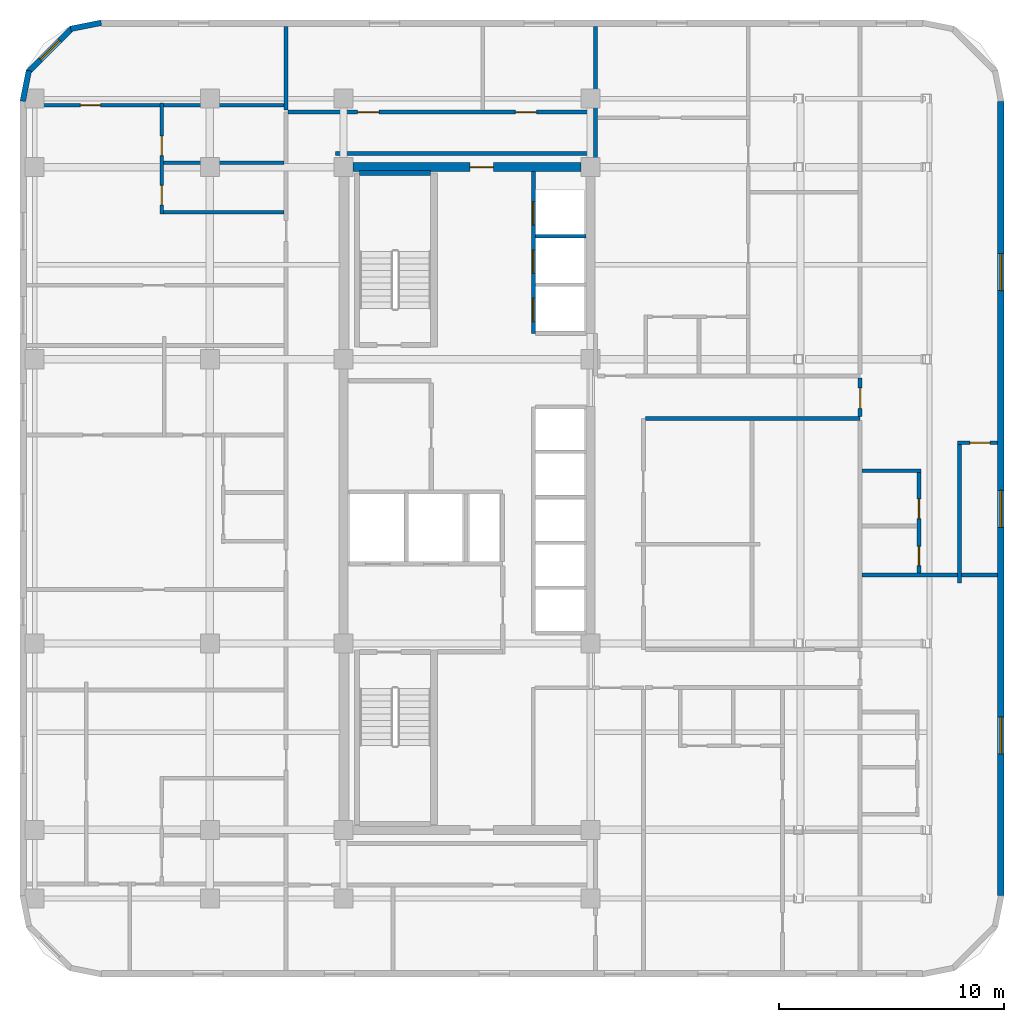
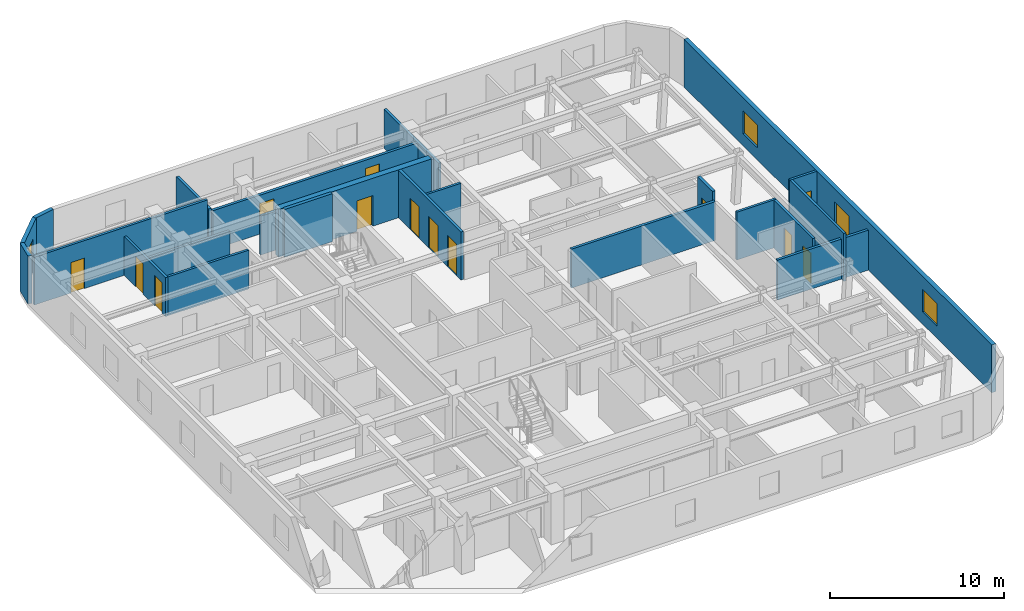
# One storey, part 6 of 8: 23 walls, 13 doors, 4 windows, 17 openings.
"""IFC4 building model written with IfcOpenShell, lengths in metres."""

from ifc_helpers import new_model, si_unit, direction, frame, frame_2d, origin, place, context, subcontext, project, spatial, rectangle, extrude, material, layer, layer_set, type_object, element, fill, save


model = new_model("IFC4")

# Units and contexts
model_context = context("Model", 3, precision=1e-05, world=origin(), true_north=direction((0.0, 1.0)))
body_context = subcontext(model_context, "Body", "Model", "MODEL_VIEW")
ifc_project = project(units=[si_unit("LENGTHUNIT", "METRE"), si_unit("AREAUNIT", "SQUARE_METRE"), si_unit("VOLUMEUNIT", "CUBIC_METRE"), si_unit("PLANEANGLEUNIT", "RADIAN"), si_unit("MASSUNIT", "GRAM", prefix="KILO")], contexts=[model_context])

# Site, building, storey
site_placement = place(None, origin())
site = spatial("IfcSite", under=ifc_project, at=site_placement, CompositionType="ELEMENT")
building_placement = place(site_placement, origin())
building = spatial("IfcBuilding", under=site, at=building_placement, Name="Ochreholt Gables", CompositionType="ELEMENT")
storey_placement = place(building_placement, frame((0.0, 0.0, 128.39990234375)))
storey = spatial("IfcBuildingStorey", under=building, at=storey_placement, Name="L33", CompositionType="ELEMENT", Elevation=128.39990234375)

# Wall, opening, door
ifc_material_1 = material(Name="Concrete 60 MPa", Category="concrete")
ifc_layer_1 = layer(ifc_material_1, 0.39990234375, Name="Concrete 60 MPa")
ifc_layer_set_1 = layer_set([ifc_layer_1], Name="Concrete 60 MPa")
wall_type_1 = type_object("IfcWallType", Name="WALL-CSW-400", PredefinedType="SHEAR", material=ifc_layer_set_1)
wall_1_placement = place(storey_placement, frame((24.625, 38.75, 0.0), z_axis=(0.0, 0.0, 1.0), x_axis=(1.0, 0.0, 0.0)))
wall_1 = element("IfcWall", 1, at=wall_1_placement, inside=storey, type_object=wall_type_1, Name="L33 Core North Shear Wall", PredefinedType="SHEAR", context=body_context, shape_type="SweptSolid", body=[
    extrude(rectangle(XDim=10.14990234375, YDim=0.39990234375, at=frame_2d((5.074951171875, 0.0))), origin(), (0.0, 0.0, 1.0), 3.360107421875),
])
opening_1_placement = place(wall_1_placement, frame((5.199951171875, 0.0, 0.0)))
opening_1 = element("IfcOpeningElement", 2, at=opening_1_placement, cuts=wall_1, Name="Opening D-FLB", PredefinedType="OPENING", context=body_context, shape_type="SweptSolid", body=[
    extrude(rectangle(XDim=1.050048828125, YDim=2.14990234375, at=frame_2d((0.52490234375, 1.074951171875))), frame((0.0, 0.2099609375, 0.0), z_axis=(0.0, -1.0, 0.0), x_axis=(1.0, 0.0, 0.0)), (0.0, 0.0, 1.0), 0.419921875),
])
ifc_material_2 = material(Name="Hollow Metal Steel", Category="steel")
door_type_1 = type_object("IfcDoorType", Name="DR-INT-FLB1050", OperationType="NOTDEFINED", PredefinedType="DOOR", material=ifc_material_2)
door_1_placement = place(opening_1_placement, frame((1.050048828125, 0.0, 0.0), z_axis=(0.0, 0.0, 1.0), x_axis=(-1.0, 0.0, 0.0)))
door_1 = element("IfcDoor", 3, at=door_1_placement, inside=storey, type_object=door_type_1, Name="L33 Door D-C2CRN-L33", OperationType="SINGLE_SWING_RIGHT", OverallHeight=2.14990234375, OverallWidth=1.050048828125, PredefinedType="DOOR", context=body_context, shape_type="SweptSolid", body=[
    extrude(rectangle(XDim=1.050048828125, YDim=2.14990234375, at=frame_2d((0.52490234375, 1.074951171875))), frame((0.0, 0.02490234375, 0.0), z_axis=(0.0, -1.0, 0.0), x_axis=(1.0, 0.0, 0.0)), (0.0, 0.0, 1.0), 0.050048828125),
])
fill(opening_1, door_1)

# Wall, openings, windows
ifc_material_3 = material(Name="Precast concrete 40 MPa", Category="concrete")
ifc_layer_2 = layer(ifc_material_3, 0.280029296875, Name="Precast concrete 40 MPa")
ifc_layer_set_2 = layer_set([ifc_layer_2], Name="Precast concrete 40 MPa")
wall_type_2 = type_object("IfcWallType", Name="WALL-EXT-280", PredefinedType="SOLIDWALL", material=ifc_layer_set_2)
wall_2_placement = place(storey_placement, frame((53.4599609375, 6.320068359375, 0.0), z_axis=(0.0, 0.0, 1.0), x_axis=(0.0, 1.0, 0.0)))
wall_2 = element("IfcWall", 4, at=wall_2_placement, inside=storey, type_object=wall_type_2, Name="L33 East Exterior Wall", PredefinedType="SOLIDWALL", context=body_context, shape_type="SweptSolid", body=[
    extrude(rectangle(XDim=35.35986328125, YDim=0.280029296875, at=frame_2d((17.679931640625, 0.0))), origin(), (0.0, 0.0, 1.0), 3.360107421875),
])
opening_2_placement = place(wall_2_placement, frame((6.31103515625, 0.0, 0.85009765625)))
opening_2 = element("IfcOpeningElement", 5, at=opening_2_placement, cuts=wall_2, Name="Opening WN-7", PredefinedType="OPENING", context=body_context, shape_type="SweptSolid", body=[
    extrude(rectangle(XDim=1.64990234375, YDim=1.60009765625, at=frame_2d((0.824951171875, 0.800048828125))), frame((0.0, 0.14990234375, 0.0), z_axis=(0.0, -1.0, 0.0), x_axis=(1.0, 0.0, 0.0)), (0.0, 0.0, 1.0), 0.300048828125),
])
opening_3_placement = place(wall_2_placement, frame((16.39208984375, 0.0, 0.85009765625)))
opening_3 = element("IfcOpeningElement", 6, at=opening_3_placement, cuts=wall_2, Name="Opening WN-7", PredefinedType="OPENING", context=body_context, shape_type="SweptSolid", body=[
    extrude(rectangle(XDim=1.64990234375, YDim=1.60009765625, at=frame_2d((0.824951171875, 0.800048828125))), frame((0.0, 0.14990234375, 0.0), z_axis=(0.0, -1.0, 0.0), x_axis=(1.0, 0.0, 0.0)), (0.0, 0.0, 1.0), 0.300048828125),
])
opening_4_placement = place(wall_2_placement, frame((26.93603515625, 0.0, 0.85009765625)))
opening_4 = element("IfcOpeningElement", 7, at=opening_4_placement, cuts=wall_2, Name="Opening WN-7", PredefinedType="OPENING", context=body_context, shape_type="SweptSolid", body=[
    extrude(rectangle(XDim=1.64990234375, YDim=1.60009765625, at=frame_2d((0.824951171875, 0.800048828125))), frame((0.0, 0.14990234375, 0.0), z_axis=(0.0, -1.0, 0.0), x_axis=(1.0, 0.0, 0.0)), (0.0, 0.0, 1.0), 0.300048828125),
])
ifc_material_4 = material(Name="Triple-Glazed Thermally Broken Aluminium Window", Category="aluminium")
window_type_1 = type_object("IfcWindowType", Name="WIN-RES-1650", PartitioningType="SINGLE_PANEL", PredefinedType="WINDOW", material=ifc_material_4)
window_1_placement = place(opening_2_placement, origin())
window_1 = element("IfcWindow", 8, at=window_1_placement, inside=storey, type_object=window_type_1, Name="L33 Window W-EXT-E-L33-1", OverallHeight=1.60009765625, OverallWidth=1.64990234375, PartitioningType="SINGLE_PANEL", PredefinedType="WINDOW", context=body_context, shape_type="SweptSolid", body=[
    extrude(rectangle(XDim=1.64990234375, YDim=1.60009765625, at=frame_2d((0.824951171875, 0.800048828125))), frame((0.0, 0.030029296875, 0.0), z_axis=(0.0, -1.0, 0.0), x_axis=(1.0, 0.0, 0.0)), (0.0, 0.0, 1.0), 0.06005859375),
])
fill(opening_2, window_1)
window_2_placement = place(opening_3_placement, origin())
window_2 = element("IfcWindow", 9, at=window_2_placement, inside=storey, type_object=window_type_1, Name="L33 Window W-EXT-E-L33-2", OverallHeight=1.60009765625, OverallWidth=1.64990234375, PartitioningType="SINGLE_PANEL", PredefinedType="WINDOW", context=body_context, shape_type="SweptSolid", body=[
    extrude(rectangle(XDim=1.64990234375, YDim=1.60009765625, at=frame_2d((0.824951171875, 0.800048828125))), frame((0.0, 0.030029296875, 0.0), z_axis=(0.0, -1.0, 0.0), x_axis=(1.0, 0.0, 0.0)), (0.0, 0.0, 1.0), 0.06005859375),
])
fill(opening_3, window_2)
window_3_placement = place(opening_4_placement, origin())
window_3 = element("IfcWindow", 10, at=window_3_placement, inside=storey, type_object=window_type_1, Name="L33 Window W-EXT-E-L33-3", OverallHeight=1.60009765625, OverallWidth=1.64990234375, PartitioningType="SINGLE_PANEL", PredefinedType="WINDOW", context=body_context, shape_type="SweptSolid", body=[
    extrude(rectangle(XDim=1.64990234375, YDim=1.60009765625, at=frame_2d((0.824951171875, 0.800048828125))), frame((0.0, 0.030029296875, 0.0), z_axis=(0.0, -1.0, 0.0), x_axis=(1.0, 0.0, 0.0)), (0.0, 0.0, 1.0), 0.06005859375),
])
fill(opening_4, window_3)

# Wall
ifc_layer_3 = layer(ifc_material_3, 0.25, Name="Precast concrete 40 MPa")
ifc_layer_set_3 = layer_set([ifc_layer_3], Name="Precast concrete 40 MPa")
wall_type_3 = type_object("IfcWallType", Name="WALL-EXT-CNR", PredefinedType="SOLIDWALL", material=ifc_layer_set_3)
wall_3_placement = place(storey_placement, frame((13.41650390625, 45.17578125, 0.0), z_axis=(0.0, 0.0, 1.0), x_axis=(-0.980809899341, -0.19496651342, 0.0)))
element("IfcWall", 11, at=wall_3_placement, inside=storey, type_object=wall_type_3, Name="L33 Rounded Corner Wall NW-1", PredefinedType="SOLIDWALL", context=body_context, shape_type="SweptSolid", body=[
    extrude(rectangle(XDim=1.388671875, YDim=0.25, at=frame_2d((0.6943359375, 0.0))), origin(), (0.0, 0.0, 1.0), 3.360107421875),
])

# Wall, opening, window
wall_4_placement = place(storey_placement, frame((12.10498046875, 44.931884765625, 0.0), z_axis=(0.0, 0.0, 1.0), x_axis=(-0.707151344399, -0.707062215165, 0.0)))
wall_4 = element("IfcWall", 12, at=wall_4_placement, inside=storey, type_object=wall_type_3, Name="L33 Rounded Corner Wall NW-2", PredefinedType="SOLIDWALL", context=body_context, shape_type="SweptSolid", body=[
    extrude(rectangle(XDim=2.7392578125, YDim=0.25, at=frame_2d((1.36962890625, 0.0))), origin(), (0.0, 0.0, 1.0), 3.360107421875),
])
opening_5_placement = place(wall_4_placement, frame((0.769775390625, 0.0, 0.85009765625)))
opening_5 = element("IfcOpeningElement", 13, at=opening_5_placement, cuts=wall_4, Name="Opening WN-3", PredefinedType="OPENING", context=body_context, shape_type="SweptSolid", body=[
    extrude(rectangle(XDim=1.199951171875, YDim=1.5, at=frame_2d((0.60009765625, 0.75))), frame((0.0, 0.135009765625, 0.0), z_axis=(0.0, -1.0, 0.0), x_axis=(1.0, 0.0, 0.0)), (0.0, 0.0, 1.0), 0.27001953125),
])
window_type_2 = type_object("IfcWindowType", Name="WIN-RES-1200", PartitioningType="SINGLE_PANEL", PredefinedType="WINDOW", material=ifc_material_4)
window_4_placement = place(opening_5_placement, origin())
window_4 = element("IfcWindow", 14, at=window_4_placement, inside=storey, type_object=window_type_2, Name="L33 Corner Bedroom Window NW", OverallHeight=1.5, OverallWidth=1.199951171875, PartitioningType="SINGLE_PANEL", PredefinedType="WINDOW", context=body_context, shape_type="SweptSolid", body=[
    extrude(rectangle(XDim=1.199951171875, YDim=1.5, at=frame_2d((0.60009765625, 0.75))), frame((0.0, 0.030029296875, 0.0), z_axis=(0.0, -1.0, 0.0), x_axis=(1.0, 0.0, 0.0)), (0.0, 0.0, 1.0), 0.06005859375),
])
fill(opening_5, window_4)

# Walls
wall_5_placement = place(storey_placement, frame((10.195068359375, 43.04541015625, 0.0), z_axis=(0.0, 0.0, 1.0), x_axis=(-0.195000137217, -0.980803214965, 0.0)))
element("IfcWall", 15, at=wall_5_placement, inside=storey, type_object=wall_type_3, Name="L33 Rounded Corner Wall NW-3", PredefinedType="SOLIDWALL", context=body_context, shape_type="SweptSolid", body=[
    extrude(rectangle(XDim=1.388427734375, YDim=0.25, at=frame_2d((0.6943359375, 0.0))), origin(), (0.0, 0.0, 1.0), 3.360107421875),
])
ifc_material_5 = material(Name="Fire-Rated Gypsum Acoustic Partition", Category="gypsum")
ifc_layer_4 = layer(ifc_material_5, 0.179931640625, Name="Fire-Rated Gypsum Acoustic Partition")
ifc_layer_set_4 = layer_set([ifc_layer_4], Name="Fire-Rated Gypsum Acoustic Partition")
wall_type_4 = type_object("IfcWallType", Name="WALL-INT-CR180", PredefinedType="STANDARD", material=ifc_layer_set_4)
wall_6_placement = place(storey_placement, frame((37.639892578125, 27.56005859375, 0.0), z_axis=(0.0, 0.0, 1.0), x_axis=(1.0, 0.0, 0.0)))
element("IfcWall", 16, at=wall_6_placement, inside=storey, type_object=wall_type_4, Name="L33 Interior Wall WI-C2SN1-L33", PredefinedType="STANDARD", context=body_context, shape_type="SweptSolid", body=[
    extrude(rectangle(XDim=9.56005859375, YDim=0.179931640625, at=frame_2d((4.780029296875, 0.0))), origin(), (0.0, 0.0, 1.0), 2.731201171875),
])

# Wall, openings, doors
wall_7_placement = place(storey_placement, frame((21.739990234375, 41.199951171875, 0.0), z_axis=(0.0, 0.0, 1.0), x_axis=(1.0, 0.0, 0.0)))
wall_7 = element("IfcWall", 17, at=wall_7_placement, inside=storey, type_object=wall_type_4, Name="L33 Interior Wall WI-C2WCN-L33", PredefinedType="STANDARD", context=body_context, shape_type="SweptSolid", body=[
    extrude(rectangle(XDim=13.679931640625, YDim=0.179931640625, at=frame_2d((6.83984375, 0.0))), origin(), (0.0, 0.0, 1.0), 2.731201171875),
])
opening_6_placement = place(wall_7_placement, frame((3.090087890625, 0.0, 0.0)))
opening_6 = element("IfcOpeningElement", 18, at=opening_6_placement, cuts=wall_7, Name="Opening D-GN1", PredefinedType="OPENING", context=body_context, shape_type="SweptSolid", body=[
    extrude(rectangle(XDim=0.949951171875, YDim=2.14990234375, at=frame_2d((0.47509765625, 1.074951171875))), frame((0.0, 0.099853515625, 0.0), z_axis=(0.0, -1.0, 0.0), x_axis=(1.0, 0.0, 0.0)), (0.0, 0.0, 1.0), 0.199951171875),
])
opening_7_placement = place(wall_7_placement, frame((10.110107421875, 0.0, 0.0)))
opening_7 = element("IfcOpeningElement", 19, at=opening_7_placement, cuts=wall_7, Name="Opening D-GN1", PredefinedType="OPENING", context=body_context, shape_type="SweptSolid", body=[
    extrude(rectangle(XDim=0.949951171875, YDim=2.14990234375, at=frame_2d((0.47509765625, 1.074951171875))), frame((0.0, 0.099853515625, 0.0), z_axis=(0.0, -1.0, 0.0), x_axis=(1.0, 0.0, 0.0)), (0.0, 0.0, 1.0), 0.199951171875),
])
ifc_material_6 = material(Name="Engineered Oak Timber", Category="wood")
door_type_2 = type_object("IfcDoorType", Name="DR-INT-GEN950", OperationType="NOTDEFINED", PredefinedType="DOOR", material=ifc_material_6)
door_2_placement = place(opening_6_placement, origin())
door_2 = element("IfcDoor", 20, at=door_2_placement, inside=storey, type_object=door_type_2, Name="L33 Door D-C2NRS1-L33", OperationType="SINGLE_SWING_RIGHT", OverallHeight=2.14990234375, OverallWidth=0.949951171875, PredefinedType="DOOR", context=body_context, shape_type="SweptSolid", body=[
    extrude(rectangle(XDim=0.949951171875, YDim=2.14990234375, at=frame_2d((0.47509765625, 1.074951171875))), frame((0.0, 0.02490234375, 0.0), z_axis=(0.0, -1.0, 0.0), x_axis=(1.0, 0.0, 0.0)), (0.0, 0.0, 1.0), 0.050048828125),
])
fill(opening_6, door_2)
door_3_placement = place(opening_7_placement, origin())
door_3 = element("IfcDoor", 21, at=door_3_placement, inside=storey, type_object=door_type_2, Name="L33 Door D-C2NRS2-L33", OperationType="SINGLE_SWING_LEFT", OverallHeight=2.14990234375, OverallWidth=0.949951171875, PredefinedType="DOOR", context=body_context, shape_type="SweptSolid", body=[
    extrude(rectangle(XDim=0.949951171875, YDim=2.14990234375, at=frame_2d((0.47509765625, 1.074951171875))), frame((0.0, 0.02490234375, 0.0), z_axis=(0.0, -1.0, 0.0), x_axis=(1.0, 0.0, 0.0)), (0.0, 0.0, 1.0), 0.050048828125),
])
fill(opening_7, door_3)

# Wall
wall_8_placement = place(storey_placement, frame((23.85009765625, 39.35009765625, 0.0), z_axis=(0.0, 0.0, 1.0), x_axis=(1.0, 0.0, 0.0)))
element("IfcWall", 22, at=wall_8_placement, inside=storey, type_object=wall_type_4, Name="L33 Interior Wall WI-C2WCN2-L33", PredefinedType="STANDARD", context=body_context, shape_type="SweptSolid", body=[
    extrude(rectangle(XDim=11.56982421875, YDim=0.179931640625, at=frame_2d((5.784912109375, 0.0))), origin(), (0.0, 0.0, 1.0), 2.731201171875),
])

# Wall, opening, door
wall_9_placement = place(storey_placement, frame((47.199951171875, 27.64990234375, 0.0), z_axis=(0.0, 0.0, 1.0), x_axis=(0.0, 1.0, 0.0)))
wall_9 = element("IfcWall", 23, at=wall_9_placement, inside=storey, type_object=wall_type_4, Name="L33 Interior Wall WI-C2SNE-L33", PredefinedType="STANDARD", context=body_context, shape_type="SweptSolid", body=[
    extrude(rectangle(XDim=1.72021484375, YDim=0.179931640625, at=frame_2d((0.860107421875, 0.0))), origin(), (0.0, 0.0, 1.0), 3.360107421875),
])
opening_8_placement = place(wall_9_placement, frame((0.360107421875, 0.0, 0.0)))
opening_8 = element("IfcOpeningElement", 24, at=opening_8_placement, cuts=wall_9, Name="Opening D-UN1", PredefinedType="OPENING", context=body_context, shape_type="SweptSolid", body=[
    extrude(rectangle(XDim=0.919921875, YDim=2.14990234375, at=frame_2d((0.4599609375, 1.074951171875))), frame((0.0, 0.099853515625, 0.0), z_axis=(0.0, -1.0, 0.0), x_axis=(1.0, 0.0, 0.0)), (0.0, 0.0, 1.0), 0.199951171875),
])
door_type_3 = type_object("IfcDoorType", Name="DR-INT-UNT920", OperationType="NOTDEFINED", PredefinedType="DOOR", material=ifc_material_6)
door_4_placement = place(opening_8_placement, origin())
door_4 = element("IfcDoor", 25, at=door_4_placement, inside=storey, type_object=door_type_3, Name="L33 Door D-U-L33FEN-ENT", OperationType="SINGLE_SWING_LEFT", OverallHeight=2.14990234375, OverallWidth=0.919921875, PredefinedType="DOOR", context=body_context, shape_type="SweptSolid", body=[
    extrude(rectangle(XDim=0.919921875, YDim=2.14990234375, at=frame_2d((0.4599609375, 1.074951171875))), frame((0.0, 0.02490234375, 0.0), z_axis=(0.0, -1.0, 0.0), x_axis=(1.0, 0.0, 0.0)), (0.0, 0.0, 1.0), 0.050048828125),
])
fill(opening_8, door_4)

# Walls
ifc_material_7 = material(Name="Double-Stud Acoustic Demising Wall", Category="gypsum")
ifc_layer_5 = layer(ifc_material_7, 0.179931640625, Name="Double-Stud Acoustic Demising Wall")
ifc_layer_set_5 = layer_set([ifc_layer_5], Name="Double-Stud Acoustic Demising Wall")
wall_type_5 = type_object("IfcWallType", Name="WALL-INT-DM180", PredefinedType="PARTITIONING", material=ifc_layer_set_5)
wall_10_placement = place(storey_placement, frame((21.64990234375, 41.2900390625, 0.0), z_axis=(0.0, 0.0, 1.0), x_axis=(0.0, 1.0, 0.0)))
element("IfcWall", 26, at=wall_10_placement, inside=storey, type_object=wall_type_5, Name="L33 Interior Wall WI-C2WWN-L33", PredefinedType="PARTITIONING", context=body_context, shape_type="SweptSolid", body=[
    extrude(rectangle(XDim=3.72998046875, YDim=0.179931640625, at=frame_2d((1.864990234375, 0.0))), origin(), (0.0, 0.0, 1.0), 2.80908203125),
])
wall_11_placement = place(storey_placement, frame((35.419921875, 38.75, 0.0), z_axis=(0.0, 0.0, 1.0), x_axis=(0.0, 1.0, 0.0)))
element("IfcWall", 27, at=wall_11_placement, inside=storey, type_object=wall_type_5, Name="L33 Interior Wall WI-C2NEN-L33", PredefinedType="PARTITIONING", context=body_context, shape_type="SweptSolid", body=[
    extrude(rectangle(XDim=6.27001953125, YDim=0.179931640625, at=frame_2d((3.135009765625, 0.0))), origin(), (0.0, 0.0, 1.0), 2.731201171875),
])
wall_12_placement = place(storey_placement, frame((47.2900390625, 20.592041015625, 0.0), z_axis=(0.0, 0.0, 1.0), x_axis=(1.0, 0.0, 0.0)))
element("IfcWall", 28, at=wall_12_placement, inside=storey, type_object=wall_type_5, Name="L33 Interior Wall WI-C2FED-L33", PredefinedType="PARTITIONING", context=body_context, shape_type="SweptSolid", body=[
    extrude(rectangle(XDim=6.030029296875, YDim=0.179931640625, at=frame_2d((3.01513671875, 0.0))), origin(), (0.0, 0.0, 1.0), 2.80908203125),
])
ifc_material_8 = material(Name="Moisture-Resistant Plumbing Chase Wall", Category="gypsum")
ifc_layer_6 = layer(ifc_material_8, 0.159912109375, Name="Moisture-Resistant Plumbing Chase Wall")
ifc_layer_set_6 = layer_set([ifc_layer_6], Name="Moisture-Resistant Plumbing Chase Wall")
wall_type_6 = type_object("IfcWallType", Name="WALL-INT-PL160", PredefinedType="PLUMBINGWALL", material=ifc_layer_set_6)
wall_13_placement = place(storey_placement, frame((47.2900390625, 25.23193359375, 0.0), z_axis=(0.0, 0.0, 1.0), x_axis=(1.0, 0.0, 0.0)))
element("IfcWall", 29, at=wall_13_placement, inside=storey, type_object=wall_type_6, Name="L33 Interior Wall WU-L33FEN-WYN", PredefinedType="PLUMBINGWALL", context=body_context, shape_type="SweptSolid", body=[
    extrude(rectangle(XDim=2.60595703125, YDim=0.159912109375, at=frame_2d((1.302978515625, 0.0))), origin(), (0.0, 0.0, 1.0), 3.360107421875),
])

# Wall, openings, doors
wall_14_placement = place(storey_placement, frame((49.81591796875, 20.681884765625, 0.0), z_axis=(0.0, 0.0, 1.0), x_axis=(0.0, 1.0, 0.0)))
wall_14 = element("IfcWall", 30, at=wall_14_placement, inside=storey, type_object=wall_type_6, Name="L33 Interior Wall WU-L33FEN-WX", PredefinedType="PLUMBINGWALL", context=body_context, shape_type="SweptSolid", body=[
    extrude(rectangle(XDim=4.64013671875, YDim=0.159912109375, at=frame_2d((2.320068359375, 0.0))), origin(), (0.0, 0.0, 1.0), 3.360107421875),
])
opening_9_placement = place(wall_14_placement, frame((0.330078125, 0.0, 0.0)))
opening_9 = element("IfcOpeningElement", 31, at=opening_9_placement, cuts=wall_14, Name="Opening D-BT1", PredefinedType="OPENING", context=body_context, shape_type="SweptSolid", body=[
    extrude(rectangle(XDim=0.860107421875, YDim=2.1201171875, at=frame_2d((0.43017578125, 1.06005859375))), frame((0.0, 0.08984375, 0.0), z_axis=(0.0, -1.0, 0.0), x_axis=(1.0, 0.0, 0.0)), (0.0, 0.0, 1.0), 0.179931640625),
])
opening_10_placement = place(wall_14_placement, frame((2.423095703125, 0.0, 0.0)))
opening_10 = element("IfcOpeningElement", 32, at=opening_10_placement, cuts=wall_14, Name="Opening D-GN2", PredefinedType="OPENING", context=body_context, shape_type="SweptSolid", body=[
    extrude(rectangle(XDim=0.8798828125, YDim=2.1201171875, at=frame_2d((0.43994140625, 1.06005859375))), frame((0.0, 0.08984375, 0.0), z_axis=(0.0, -1.0, 0.0), x_axis=(1.0, 0.0, 0.0)), (0.0, 0.0, 1.0), 0.179931640625),
])
door_type_4 = type_object("IfcDoorType", Name="DR-INT-BTH860", OperationType="NOTDEFINED", PredefinedType="DOOR", material=ifc_material_6)
door_5_placement = place(opening_9_placement, origin())
door_5 = element("IfcDoor", 33, at=door_5_placement, inside=storey, type_object=door_type_4, Name="L33 Door D-U-L33FEN-BTH", OperationType="SINGLE_SWING_RIGHT", OverallHeight=2.1201171875, OverallWidth=0.860107421875, PredefinedType="DOOR", context=body_context, shape_type="SweptSolid", body=[
    extrude(rectangle(XDim=0.860107421875, YDim=2.1201171875, at=frame_2d((0.43017578125, 1.06005859375))), frame((0.0, 0.02490234375, 0.0), z_axis=(0.0, -1.0, 0.0), x_axis=(1.0, 0.0, 0.0)), (0.0, 0.0, 1.0), 0.050048828125),
])
fill(opening_9, door_5)
door_type_5 = type_object("IfcDoorType", Name="DR-INT-GEN880", OperationType="NOTDEFINED", PredefinedType="DOOR", material=ifc_material_6)
door_6_placement = place(opening_10_placement, origin())
door_6 = element("IfcDoor", 34, at=door_6_placement, inside=storey, type_object=door_type_5, Name="L33 Door D-U-L33FEN-KIT", OperationType="SINGLE_SWING_LEFT", OverallHeight=2.1201171875, OverallWidth=0.8798828125, PredefinedType="DOOR", context=body_context, shape_type="SweptSolid", body=[
    extrude(rectangle(XDim=0.8798828125, YDim=2.1201171875, at=frame_2d((0.43994140625, 1.06005859375))), frame((0.0, 0.02490234375, 0.0), z_axis=(0.0, -1.0, 0.0), x_axis=(1.0, 0.0, 0.0)), (0.0, 0.0, 1.0), 0.050048828125),
])
fill(opening_10, door_6)

# Wall
wall_15_placement = place(storey_placement, frame((16.030029296875, 36.74609375, 0.0), z_axis=(0.0, 0.0, 1.0), x_axis=(1.0, 0.0, 0.0)))
element("IfcWall", 35, at=wall_15_placement, inside=storey, type_object=wall_type_6, Name="L33 Interior Wall WU-L33W3-FYS", PredefinedType="PLUMBINGWALL", context=body_context, shape_type="SweptSolid", body=[
    extrude(rectangle(XDim=5.530029296875, YDim=0.159912109375, at=frame_2d((2.76513671875, 0.0))), origin(), (0.0, 0.0, 1.0), 2.731201171875),
])

# Wall, openings, doors
wall_16_placement = place(storey_placement, frame((16.110107421875, 36.656005859375, 0.0), z_axis=(0.0, 0.0, 1.0), x_axis=(0.0, 1.0, 0.0)))
wall_16 = element("IfcWall", 36, at=wall_16_placement, inside=storey, type_object=wall_type_6, Name="L33 Interior Wall WU-L33W3-WX", PredefinedType="PLUMBINGWALL", context=body_context, shape_type="SweptSolid", body=[
    extrude(rectangle(XDim=4.944091796875, YDim=0.159912109375, at=frame_2d((2.47216796875, 0.0))), origin(), (0.0, 0.0, 1.0), 2.731201171875),
])
opening_11_placement = place(wall_16_placement, frame((0.419921875, 0.0, 0.0)))
opening_11 = element("IfcOpeningElement", 37, at=opening_11_placement, cuts=wall_16, Name="Opening D-BT1", PredefinedType="OPENING", context=body_context, shape_type="SweptSolid", body=[
    extrude(rectangle(XDim=0.860107421875, YDim=2.1201171875, at=frame_2d((0.43017578125, 1.06005859375))), frame((0.0, 0.08984375, 0.0), z_axis=(0.0, -1.0, 0.0), x_axis=(1.0, 0.0, 0.0)), (0.0, 0.0, 1.0), 0.179931640625),
])
opening_12_placement = place(wall_16_placement, frame((2.611328125, 0.0, 0.0)))
opening_12 = element("IfcOpeningElement", 38, at=opening_12_placement, cuts=wall_16, Name="Opening D-GN2", PredefinedType="OPENING", context=body_context, shape_type="SweptSolid", body=[
    extrude(rectangle(XDim=0.8798828125, YDim=2.1201171875, at=frame_2d((0.43994140625, 1.06005859375))), frame((0.0, 0.08984375, 0.0), z_axis=(0.0, -1.0, 0.0), x_axis=(1.0, 0.0, 0.0)), (0.0, 0.0, 1.0), 0.179931640625),
])
door_7_placement = place(opening_11_placement, origin())
door_7 = element("IfcDoor", 39, at=door_7_placement, inside=storey, type_object=door_type_4, Name="L33 Door D-U-L33W3-BTH", OperationType="SINGLE_SWING_LEFT", OverallHeight=2.1201171875, OverallWidth=0.860107421875, PredefinedType="DOOR", context=body_context, shape_type="SweptSolid", body=[
    extrude(rectangle(XDim=0.860107421875, YDim=2.1201171875, at=frame_2d((0.43017578125, 1.06005859375))), frame((0.0, 0.02490234375, 0.0), z_axis=(0.0, -1.0, 0.0), x_axis=(1.0, 0.0, 0.0)), (0.0, 0.0, 1.0), 0.050048828125),
])
fill(opening_11, door_7)
door_8_placement = place(opening_12_placement, origin())
door_8 = element("IfcDoor", 40, at=door_8_placement, inside=storey, type_object=door_type_5, Name="L33 Door D-U-L33W3-KIT", OperationType="SINGLE_SWING_RIGHT", OverallHeight=2.1201171875, OverallWidth=0.8798828125, PredefinedType="DOOR", context=body_context, shape_type="SweptSolid", body=[
    extrude(rectangle(XDim=0.8798828125, YDim=2.1201171875, at=frame_2d((0.43994140625, 1.06005859375))), frame((0.0, 0.02490234375, 0.0), z_axis=(0.0, -1.0, 0.0), x_axis=(1.0, 0.0, 0.0)), (0.0, 0.0, 1.0), 0.050048828125),
])
fill(opening_12, door_8)

# Walls
wall_17_placement = place(storey_placement, frame((16.18994140625, 38.9375, 0.0), z_axis=(0.0, 0.0, 1.0), x_axis=(1.0, 0.0, 0.0)))
element("IfcWall", 41, at=wall_17_placement, inside=storey, type_object=wall_type_6, Name="L33 Interior Wall WU-L33W3-WK", PredefinedType="PLUMBINGWALL", context=body_context, shape_type="SweptSolid", body=[
    extrude(rectangle(XDim=5.3701171875, YDim=0.159912109375, at=frame_2d((2.68505859375, 0.0))), origin(), (0.0, 0.0, 1.0), 2.731201171875),
])
ifc_material_9 = material(Name="Gypsum Acoustic Stud Partition", Category="gypsum")
ifc_layer_7 = layer(ifc_material_9, 0.1650390625, Name="Gypsum Acoustic Stud Partition")
ifc_layer_set_7 = layer_set([ifc_layer_7], Name="Gypsum Acoustic Stud Partition")
wall_type_7 = type_object("IfcWallType", Name="WALL-INT-PT165", PredefinedType="PARTITIONING", material=ifc_layer_set_7)
wall_18_placement = place(storey_placement, frame((51.615966796875, 20.23193359375, 0.0), z_axis=(0.0, 0.0, 1.0), x_axis=(0.0, 1.0, 0.0)))
element("IfcWall", 42, at=wall_18_placement, inside=storey, type_object=wall_type_7, Name="L33 Interior Wall WU-L33FEN-STW", PredefinedType="PARTITIONING", context=body_context, shape_type="SweptSolid", body=[
    extrude(rectangle(XDim=6.25, YDim=0.1650390625, at=frame_2d((3.125, 0.0))), origin(), (0.0, 0.0, 1.0), 3.360107421875),
])

# Wall, opening, door
wall_19_placement = place(storey_placement, frame((51.535888671875, 26.48193359375, 0.0), z_axis=(0.0, 0.0, 1.0), x_axis=(1.0, 0.0, 0.0)))
wall_19 = element("IfcWall", 43, at=wall_19_placement, inside=storey, type_object=wall_type_7, Name="L33 Interior Wall WU-L33FEN-STN", PredefinedType="PARTITIONING", context=body_context, shape_type="SweptSolid", body=[
    extrude(rectangle(XDim=1.7841796875, YDim=0.1650390625, at=frame_2d((0.89208984375, 0.0))), origin(), (0.0, 0.0, 1.0), 3.360107421875),
])
opening_13_placement = place(wall_19_placement, frame((0.550048828125, 0.0, 0.0)))
opening_13 = element("IfcOpeningElement", 44, at=opening_13_placement, cuts=wall_19, Name="Opening D-GN2", PredefinedType="OPENING", context=body_context, shape_type="SweptSolid", body=[
    extrude(rectangle(XDim=0.8798828125, YDim=2.1201171875, at=frame_2d((0.43994140625, 1.06005859375))), frame((0.0, 0.092529296875, 0.0), z_axis=(0.0, -1.0, 0.0), x_axis=(1.0, 0.0, 0.0)), (0.0, 0.0, 1.0), 0.18505859375),
])
door_9_placement = place(opening_13_placement, origin())
door_9 = element("IfcDoor", 45, at=door_9_placement, inside=storey, type_object=door_type_5, Name="L33 Door D-U-L33FEN-STD", OperationType="SINGLE_SWING_RIGHT", OverallHeight=2.1201171875, OverallWidth=0.8798828125, PredefinedType="DOOR", context=body_context, shape_type="SweptSolid", body=[
    extrude(rectangle(XDim=0.8798828125, YDim=2.1201171875, at=frame_2d((0.43994140625, 1.06005859375))), frame((0.0, 0.02490234375, 0.0), z_axis=(0.0, -1.0, 0.0), x_axis=(1.0, 0.0, 0.0)), (0.0, 0.0, 1.0), 0.050048828125),
])
fill(opening_13, door_9)

wall_20_placement = place(storey_placement, frame((10.080078125, 41.510009765625, 0.0), z_axis=(0.0, 0.0, 1.0), x_axis=(1.0, 0.0, 0.0)))
wall_20 = element("IfcWall", 46, at=wall_20_placement, inside=storey, type_object=wall_type_7, Name="L33 Interior Wall WU-L33W3-MN", PredefinedType="PARTITIONING", context=body_context, shape_type="SweptSolid", body=[
    extrude(rectangle(XDim=11.47998046875, YDim=0.1650390625, at=frame_2d((5.739990234375, 0.0))), origin(), (0.0, 0.0, 1.0), 3.360107421875),
])
opening_14_placement = place(wall_20_placement, frame((2.409912109375, 0.0, 0.0)))
opening_14 = element("IfcOpeningElement", 47, at=opening_14_placement, cuts=wall_20, Name="Opening D-BD1", PredefinedType="OPENING", context=body_context, shape_type="SweptSolid", body=[
    extrude(rectangle(XDim=0.89990234375, YDim=2.139892578125, at=frame_2d((0.449951171875, 1.06982421875))), frame((0.0, 0.092529296875, 0.0), z_axis=(0.0, -1.0, 0.0), x_axis=(1.0, 0.0, 0.0)), (0.0, 0.0, 1.0), 0.18505859375),
])
door_type_6 = type_object("IfcDoorType", Name="DR-INT-BED900", OperationType="NOTDEFINED", PredefinedType="DOOR", material=ifc_material_6)
door_10_placement = place(opening_14_placement, origin())
door_10 = element("IfcDoor", 48, at=door_10_placement, inside=storey, type_object=door_type_6, Name="L33 Door D-U-L33W3-BD1", OperationType="SINGLE_SWING_LEFT", OverallHeight=2.139892578125, OverallWidth=0.89990234375, PredefinedType="DOOR", context=body_context, shape_type="SweptSolid", body=[
    extrude(rectangle(XDim=0.89990234375, YDim=2.139892578125, at=frame_2d((0.449951171875, 1.06982421875))), frame((0.0, 0.02490234375, 0.0), z_axis=(0.0, -1.0, 0.0), x_axis=(1.0, 0.0, 0.0)), (0.0, 0.0, 1.0), 0.050048828125),
])
fill(opening_14, door_10)

# Wall
ifc_material_10 = material(Name="Gypsum Shaftliner and Steel Stud", Category="steel")
ifc_layer_8 = layer(ifc_material_10, 0.14990234375, Name="Gypsum Shaftliner and Steel Stud")
ifc_layer_set_8 = layer_set([ifc_layer_8], Name="Gypsum Shaftliner and Steel Stud")
wall_type_8 = type_object("IfcWallType", Name="WALL-INT-SH150", PredefinedType="STANDARD", material=ifc_layer_set_8)
wall_21_placement = place(storey_placement, frame((32.739990234375, 35.669921875, 0.0), z_axis=(0.0, 0.0, 1.0), x_axis=(1.0, 0.0, 0.0)))
element("IfcWall", 49, at=wall_21_placement, inside=storey, type_object=wall_type_8, Name="L33 Interior Wall WI-LFM-D2-L33", PredefinedType="STANDARD", context=body_context, shape_type="SweptSolid", body=[
    extrude(rectangle(XDim=2.260009765625, YDim=0.14990234375, at=frame_2d((1.1298828125, 0.0))), origin(), (0.0, 0.0, 1.0), 3.360107421875),
])

# Wall, openings, doors
ifc_layer_9 = layer(ifc_material_10, 0.179931640625, Name="Gypsum Shaftliner and Steel Stud")
ifc_layer_set_9 = layer_set([ifc_layer_9], Name="Gypsum Shaftliner and Steel Stud")
wall_type_9 = type_object("IfcWallType", Name="WALL-INT-SH180", PredefinedType="STANDARD", material=ifc_layer_set_9)
wall_22_placement = place(storey_placement, frame((32.64990234375, 31.35009765625, 0.0), z_axis=(0.0, 0.0, 1.0), x_axis=(0.0, 1.0, 0.0)))
wall_22 = element("IfcWall", 50, at=wall_22_placement, inside=storey, type_object=wall_type_9, Name="L33 Interior Wall WI-LFM-FR-L33", PredefinedType="STANDARD", context=body_context, shape_type="SweptSolid", body=[
    extrude(rectangle(XDim=7.199951171875, YDim=0.179931640625, at=frame_2d((3.60009765625, 0.0))), origin(), (0.0, 0.0, 1.0), 3.360107421875),
])
opening_15_placement = place(wall_22_placement, frame((0.52001953125, 0.0, 0.0)))
opening_15 = element("IfcOpeningElement", 51, at=opening_15_placement, cuts=wall_22, Name="Opening LD-PX", PredefinedType="OPENING", context=body_context, shape_type="SweptSolid", body=[
    extrude(rectangle(XDim=1.050048828125, YDim=2.199951171875, at=frame_2d((0.52490234375, 1.10009765625))), frame((0.0, 0.099853515625, 0.0), z_axis=(0.0, -1.0, 0.0), x_axis=(1.0, 0.0, 0.0)), (0.0, 0.0, 1.0), 0.199951171875),
])
opening_16_placement = place(wall_22_placement, frame((2.669921875, 0.0, 0.0)))
opening_16 = element("IfcOpeningElement", 52, at=opening_16_placement, cuts=wall_22, Name="Opening LD-PX", PredefinedType="OPENING", context=body_context, shape_type="SweptSolid", body=[
    extrude(rectangle(XDim=1.050048828125, YDim=2.199951171875, at=frame_2d((0.52490234375, 1.10009765625))), frame((0.0, 0.099853515625, 0.0), z_axis=(0.0, -1.0, 0.0), x_axis=(1.0, 0.0, 0.0)), (0.0, 0.0, 1.0), 0.199951171875),
])
opening_17_placement = place(wall_22_placement, frame((4.820068359375, 0.0, 0.0)))
opening_17 = element("IfcOpeningElement", 53, at=opening_17_placement, cuts=wall_22, Name="Opening LD-PX", PredefinedType="OPENING", context=body_context, shape_type="SweptSolid", body=[
    extrude(rectangle(XDim=1.050048828125, YDim=2.199951171875, at=frame_2d((0.52490234375, 1.10009765625))), frame((0.0, 0.099853515625, 0.0), z_axis=(0.0, -1.0, 0.0), x_axis=(1.0, 0.0, 0.0)), (0.0, 0.0, 1.0), 0.199951171875),
])
ifc_material_11 = material(Name="Stainless Steel", Category="steel")
door_type_7 = type_object("IfcDoorType", Name="DR-LFT-PX1050", OperationType="NOTDEFINED", PredefinedType="DOOR", material=ifc_material_11)
door_11_placement = place(opening_15_placement, origin())
door_11 = element("IfcDoor", 54, at=door_11_placement, inside=storey, type_object=door_type_7, Name="L33 Door LD-M1-L33", OperationType="SLIDING_TO_LEFT", OverallHeight=2.199951171875, OverallWidth=1.050048828125, PredefinedType="DOOR", context=body_context, shape_type="SweptSolid", body=[
    extrude(rectangle(XDim=1.050048828125, YDim=2.199951171875, at=frame_2d((0.52490234375, 1.10009765625))), frame((0.0, 0.02490234375, 0.0), z_axis=(0.0, -1.0, 0.0), x_axis=(1.0, 0.0, 0.0)), (0.0, 0.0, 1.0), 0.050048828125),
])
fill(opening_15, door_11)
door_12_placement = place(opening_16_placement, origin())
door_12 = element("IfcDoor", 55, at=door_12_placement, inside=storey, type_object=door_type_7, Name="L33 Door LD-M2-L33", OperationType="SLIDING_TO_LEFT", OverallHeight=2.199951171875, OverallWidth=1.050048828125, PredefinedType="DOOR", context=body_context, shape_type="SweptSolid", body=[
    extrude(rectangle(XDim=1.050048828125, YDim=2.199951171875, at=frame_2d((0.52490234375, 1.10009765625))), frame((0.0, 0.02490234375, 0.0), z_axis=(0.0, -1.0, 0.0), x_axis=(1.0, 0.0, 0.0)), (0.0, 0.0, 1.0), 0.050048828125),
])
fill(opening_16, door_12)
door_13_placement = place(opening_17_placement, origin())
door_13 = element("IfcDoor", 56, at=door_13_placement, inside=storey, type_object=door_type_7, Name="L33 Door LD-M3-L33", OperationType="SLIDING_TO_LEFT", OverallHeight=2.199951171875, OverallWidth=1.050048828125, PredefinedType="DOOR", context=body_context, shape_type="SweptSolid", body=[
    extrude(rectangle(XDim=1.050048828125, YDim=2.199951171875, at=frame_2d((0.52490234375, 1.10009765625))), frame((0.0, 0.02490234375, 0.0), z_axis=(0.0, -1.0, 0.0), x_axis=(1.0, 0.0, 0.0)), (0.0, 0.0, 1.0), 0.050048828125),
])
fill(opening_17, door_13)

# Wall
ifc_material_12 = material(Name="Concrete 50 MPa", Category="concrete")
ifc_layer_10 = layer(ifc_material_12, 0.219970703125, Name="Concrete 50 MPa")
ifc_layer_set_10 = layer_set([ifc_layer_10], Name="Concrete 50 MPa")
wall_type_10 = type_object("IfcWallType", Name="WALL-STW-220", PredefinedType="SHEAR", material=ifc_layer_set_10)
wall_23_placement = place(storey_placement, frame((24.919921875, 38.489990234375, 0.0), z_axis=(0.0, 0.0, 1.0), x_axis=(1.0, 0.0, 0.0)))
element("IfcWall", 57, at=wall_23_placement, inside=storey, type_object=wall_type_10, Name="L33 Exit Stair 2 North Wall", PredefinedType="SHEAR", context=body_context, shape_type="SweptSolid", body=[
    extrude(rectangle(XDim=3.16015625, YDim=0.219970703125, at=frame_2d((1.580078125, 0.0))), origin(), (0.0, 0.0, 1.0), 3.360107421875),
])

save(model, "model.ifc")
